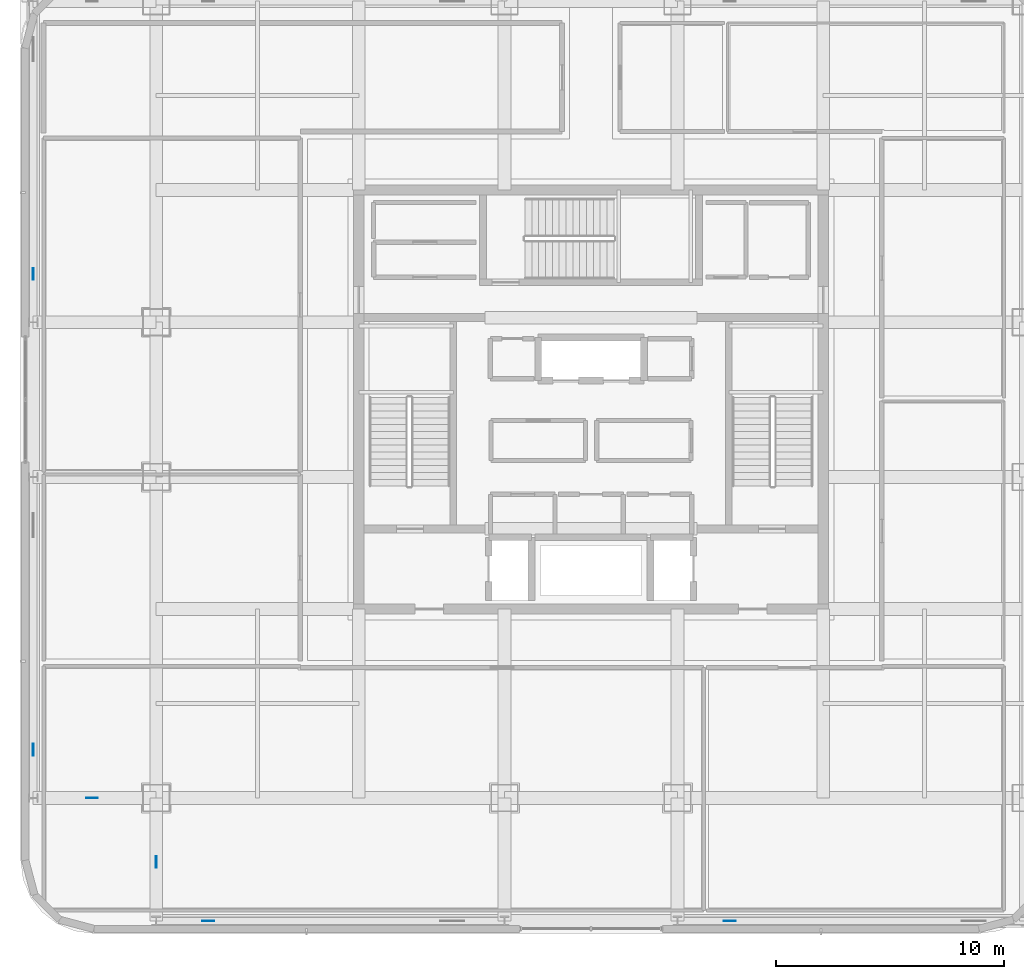
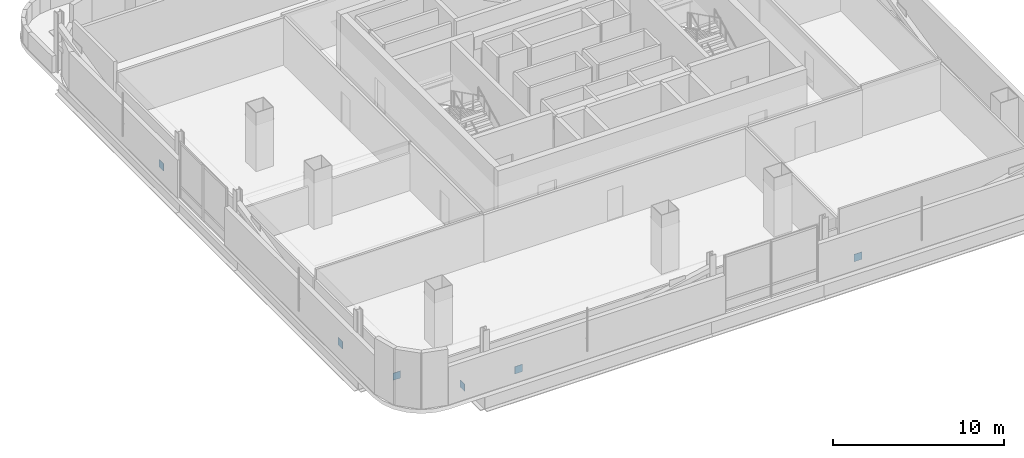
# One storey, part 9 of 28: 6 plates.
"""IFC4 building model written with IfcOpenShell, lengths in metres."""

from ifc_helpers import new_model, si_unit, direction, frame, origin, origin_2d, place, context, subcontext, project, spatial, rectangle, extrude, material, layer, layer_set, type_object, element, save


model = new_model("IFC4")

# Units and contexts
model_context = context("Model", 3, precision=1e-05, world=origin(), true_north=direction((0.0, 1.0)))
body_context = subcontext(model_context, "Body", "Model", "MODEL_VIEW")
ifc_project = project(units=[si_unit("LENGTHUNIT", "METRE"), si_unit("AREAUNIT", "SQUARE_METRE"), si_unit("VOLUMEUNIT", "CUBIC_METRE"), si_unit("PLANEANGLEUNIT", "RADIAN"), si_unit("MASSUNIT", "GRAM", prefix="KILO")], contexts=[model_context])

# Site, building, storey
site_placement = place(None, origin())
site = spatial("IfcSite", under=ifc_project, at=site_placement, CompositionType="ELEMENT")
building_placement = place(site_placement, origin())
building = spatial("IfcBuilding", under=site, at=building_placement, Name="Punatoya Terracotta Tower", CompositionType="ELEMENT")
storey_placement = place(building_placement, frame((0.0, 0.0, 317.39990234375)))
storey = spatial("IfcBuildingStorey", under=building, at=storey_placement, Name="L75", CompositionType="ELEMENT", Elevation=317.39990234375)

# Plates
ifc_material = material(Name="Steel S460", Category="steel")
ifc_layer = layer(ifc_material, 0.031982421875)
ifc_layer_set = layer_set([ifc_layer], Name="Steel S460")
plate_type = type_object("IfcPlateType", Name="PLT-END-32", PredefinedType="USERDEFINED", material=ifc_layer_set)
for number, where, z_axis, x_axis, name in (
    (1, (-16.804931640625, -22.89990234375, 0.237060546875), (0.0, 0.0, 1.0), (1.0, 0.0, 0.0), "L75 Exoskeleton Base Node Plate S1"),
    (2, (6.094970703125, -22.89990234375, 0.237060546875), (0.0, 0.0, 1.0), (1.0, 0.0, 0.0), "L75 Exoskeleton Base Node Plate S3"),
    (3, (-24.5, -15.385009765625, 0.237060546875), (0.0, 0.0, 1.0), (0.0, 1.0, 0.0), "L75 Exoskeleton Base Node Plate W1"),
    (4, (-24.5, 5.514892578125, 0.237060546875), (0.0, 0.0, 1.0), (0.0, 1.0, 0.0), "L75 Exoskeleton Base Node Plate W3"),
):
    element("IfcPlate", number, at=place(storey_placement, frame(where, z_axis=z_axis, x_axis=x_axis)), inside=storey, type_object=plate_type, Name=name, ObjectType="FLANGE_PLATE", PredefinedType="USERDEFINED", context=body_context, shape_type="SweptSolid", body=[
        extrude(rectangle(XDim=0.52001953125, YDim=0.031982421875, at=origin_2d()), origin(), (0.0, 0.0, 1.0), 0.52001953125),
    ])
for number, where, z_axis, x_axis, name in (
    (5, (-21.916015625, -17.5, -1.701904296875), (0.0, 0.0, 1.0), (1.0, 0.0, 0.0), "L75 Knee-Strut Upper End Cap Plate W1"),
    (6, (-19.10009765625, -20.31591796875, -1.701904296875), (0.0, 0.0, 1.0), (0.0, 1.0, 0.0), "L75 Knee-Strut Upper End Cap Plate S1"),
):
    element("IfcPlate", number, at=place(storey_placement, frame(where, z_axis=z_axis, x_axis=x_axis)), inside=storey, type_object=plate_type, Name=name, ObjectType="FLANGE_PLATE", PredefinedType="USERDEFINED", context=body_context, shape_type="SweptSolid", body=[
        extrude(rectangle(XDim=0.5, YDim=0.031982421875, at=origin_2d()), origin(), (0.0, 0.0, 1.0), 0.5),
    ])

save(model, "model.ifc")
